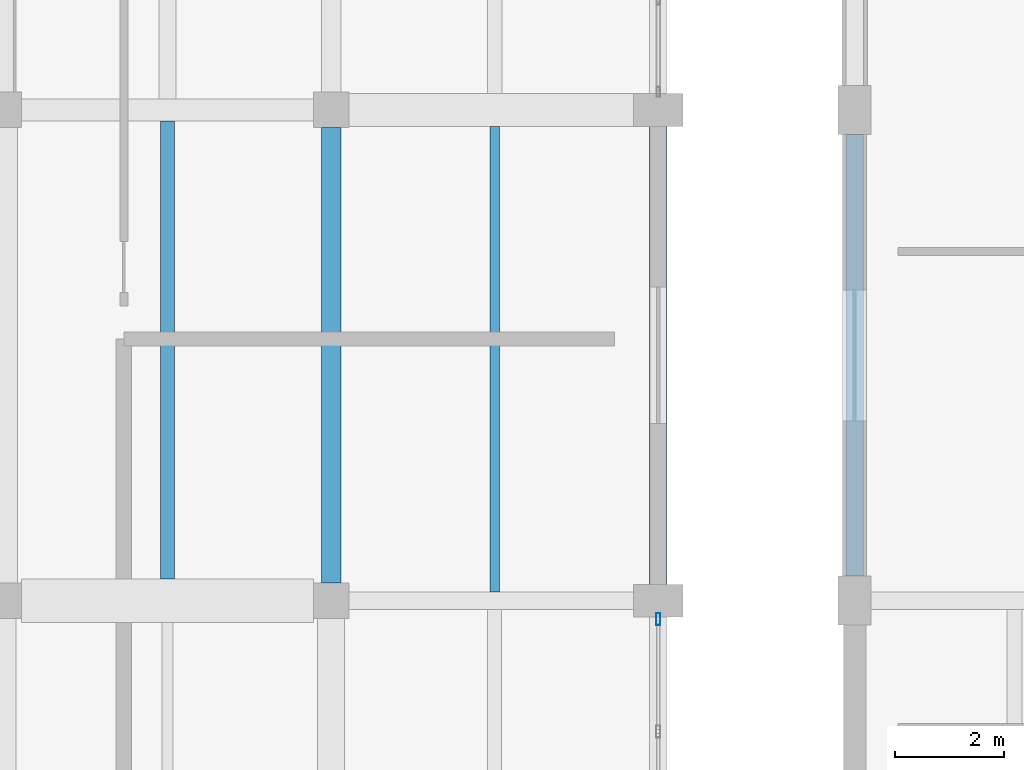
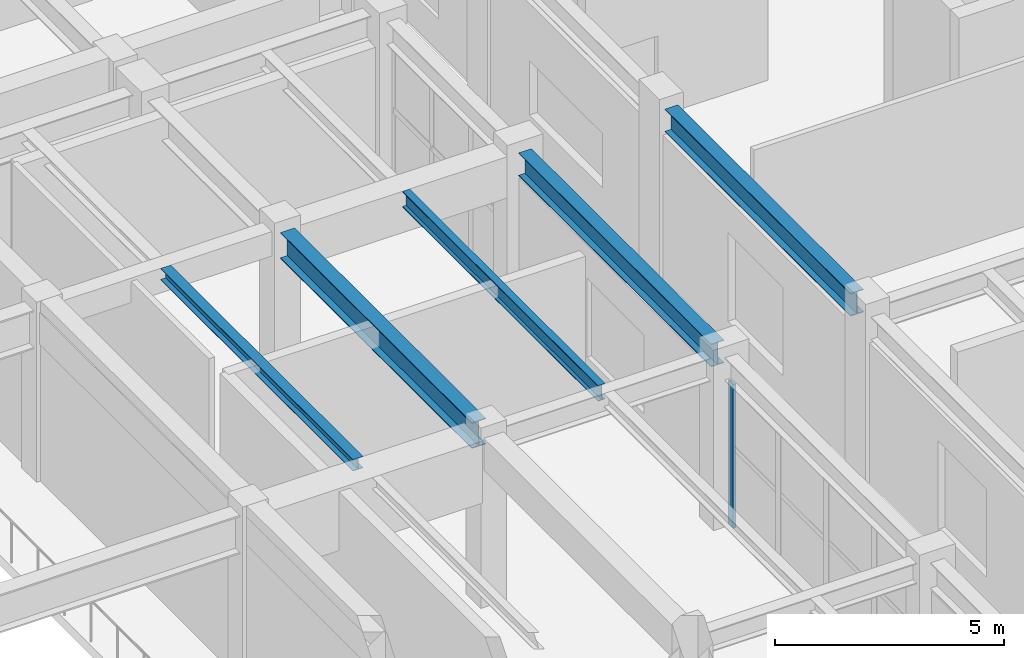
# One storey, part 31 of 80: 5 beams, 1 member, 1 element without a shape of its own.
"""IFC4 building model written with IfcOpenShell, lengths in metres."""

from ifc_helpers import new_model, si_unit, direction, frame, origin, origin_2d, place, context, subcontext, project, spatial, hollow_rectangle, i_section, extrude, material, layer, layer_set, material_profile, profile_set, type_object, element, aggregate, save


model = new_model("IFC4")

# Units and contexts
model_context = context("Model", 3, precision=1e-05, world=origin(), true_north=direction((0.0, 1.0)))
body_context = subcontext(model_context, "Body", "Model", "MODEL_VIEW")
ifc_project = project(units=[si_unit("LENGTHUNIT", "METRE"), si_unit("AREAUNIT", "SQUARE_METRE"), si_unit("VOLUMEUNIT", "CUBIC_METRE"), si_unit("PLANEANGLEUNIT", "RADIAN"), si_unit("MASSUNIT", "GRAM", prefix="KILO")], contexts=[model_context])

# Site, building, storey
site_placement = place(None, origin())
site = spatial("IfcSite", under=ifc_project, at=site_placement, CompositionType="ELEMENT")
building_placement = place(site_placement, origin())
building = spatial("IfcBuilding", under=site, at=building_placement, Name="Vaelkrest Opera House", CompositionType="ELEMENT")
storey_placement = place(building_placement, frame((0.0, 0.0, 15.0)))
storey = spatial("IfcBuildingStorey", under=building, at=storey_placement, Name="L03", CompositionType="ELEMENT", Elevation=15.0)

# Beam
ifc_material_1 = material(Name="Steel A992 Gr50", Category="steel")
ifc_material_profile_1 = material_profile(ifc_material_1, i_section(OverallWidth=0.35498046875, OverallDepth=0.695068359375, WebThickness=0.015380859375, FlangeThickness=0.02490234375, at=origin_2d()), Name="W27X146")
ifc_profile_set_1 = profile_set([ifc_material_profile_1], Name="Steel A992 Gr50")
beam_type_1 = type_object("IfcBeamType", Name="B10", PredefinedType="BEAM", material=ifc_profile_set_1)
beam_1_placement = place(storey_placement, frame((24.0, 1.52490234375, 4.157470703125), z_axis=(0.0, 1.0, 0.0), x_axis=(-1.0, 0.0, 0.0)))
element("IfcBeam", 1, at=beam_1_placement, inside=storey, type_object=beam_type_1, Name="Beam BM-V1-L03-0505", PredefinedType="BEAM", context=body_context, shape_type="SweptSolid", body=[
    extrude(i_section(OverallWidth=0.35498046875, OverallDepth=0.695068359375, WebThickness=0.015380859375, FlangeThickness=0.02490234375, at=origin_2d()), origin(), (0.0, 0.0, 1.0), 8.35009765625),
])

# Curtain wall, member
ifc_material_2 = material(Name="Dark bronze anodized aluminium", Category="aluminium")
ifc_layer = layer(ifc_material_2, 0.239990234375)
ifc_layer_set = layer_set([ifc_layer], Name="Dark bronze anodized aluminium")
curtain_wall_type = type_object("IfcCurtainWallType", Name="CW07", PredefinedType="NOTDEFINED", material=ifc_layer_set)
curtain_wall_placement = place(storey_placement, origin())
curtain_wall = element("IfcCurtainWall", 2, at=curtain_wall_placement, inside=storey, type_object=curtain_wall_type, Name="Curtain wall CW-L03-052", PredefinedType="NOTDEFINED")
ifc_material_profile_2 = material_profile(ifc_material_2, hollow_rectangle(XDim=0.074951171875, YDim=0.219970703125, WallThickness=0.00439453125, at=origin_2d()), Name="CWM75X220")
ifc_profile_set_2 = profile_set([ifc_material_profile_2], Name="Dark bronze anodized aluminium")
member_type = type_object("IfcMemberType", Name="CWM03", PredefinedType="MULLION", material=ifc_profile_set_2)
member_placement = place(storey_placement, frame((30.0, 0.864501953125, 0.0), z_axis=(0.0, 0.0, 1.0), x_axis=(1.0, 0.0, 0.0)))
member = element("IfcMember", 3, at=member_placement, type_object=member_type, Name="CW07 mullion 1", PredefinedType="MULLION", context=body_context, shape_type="SweptSolid", body=[
    extrude(hollow_rectangle(XDim=0.074951171875, YDim=0.219970703125, WallThickness=0.00439453125, at=origin_2d()), origin(), (0.0, 0.0, 1.0), 3.8291015625),
])
aggregate(curtain_wall, [member])

# Beams
ifc_material_profile_3 = material_profile(ifc_material_1, i_section(OverallWidth=0.25390625, OverallDepth=0.305908203125, WebThickness=0.0087890625, FlangeThickness=0.0146484375, at=origin_2d()), Name="W12X53")
ifc_profile_set_3 = profile_set([ifc_material_profile_3], Name="Steel A992 Gr50")
beam_type_2 = type_object("IfcBeamType", Name="J03", PredefinedType="JOIST", material=ifc_profile_set_3)
beam_2_placement = place(storey_placement, frame((21.0, 1.60009765625, 4.35205078125), z_axis=(0.0, 1.0, 0.0), x_axis=(-1.0, 0.0, 0.0)))
element("IfcBeam", 4, at=beam_2_placement, inside=storey, type_object=beam_type_2, Name="Floor joist JST-V1-L03-0523", PredefinedType="JOIST", context=body_context, shape_type="SweptSolid", body=[
    extrude(i_section(OverallWidth=0.25390625, OverallDepth=0.305908203125, WebThickness=0.0087890625, FlangeThickness=0.0146484375, at=origin_2d()), origin(), (0.0, 0.0, 1.0), 8.39990234375),
])
ifc_material_profile_4 = material_profile(ifc_material_1, i_section(OverallWidth=0.180908203125, OverallDepth=0.4169921875, WebThickness=0.010986328125, FlangeThickness=0.018310546875, at=origin_2d()), Name="W16X57")
ifc_profile_set_4 = profile_set([ifc_material_profile_4], Name="Steel A992 Gr50")
beam_type_3 = type_object("IfcBeamType", Name="J07", PredefinedType="JOIST", material=ifc_profile_set_4)
beam_3_placement = place(storey_placement, frame((27.0, 1.362060546875, 4.29638671875), z_axis=(0.0, 1.0, 0.0), x_axis=(-1.0, 0.0, 0.0)))
element("IfcBeam", 5, at=beam_3_placement, inside=storey, type_object=beam_type_3, Name="Floor joist JST-V1-L03-0527", PredefinedType="JOIST", context=body_context, shape_type="SweptSolid", body=[
    extrude(i_section(OverallWidth=0.180908203125, OverallDepth=0.4169921875, WebThickness=0.010986328125, FlangeThickness=0.018310546875, at=origin_2d()), origin(), (0.0, 0.0, 1.0), 8.537841796875),
])
ifc_material_profile_5 = material_profile(ifc_material_1, i_section(OverallWidth=0.323974609375, OverallDepth=0.611083984375, WebThickness=0.0126953125, FlangeThickness=0.01904296875, at=origin_2d()), Name="W24X104")
ifc_profile_set_5 = profile_set([ifc_material_profile_5], Name="Steel A992 Gr50")
beam_type_4 = type_object("IfcBeamType", Name="SP01", PredefinedType="SPANDREL", material=ifc_profile_set_5)
beam_4_placement = place(storey_placement, frame((30.0, 1.5, 4.199462890625), z_axis=(0.0, 1.0, 0.0), x_axis=(-1.0, 0.0, 0.0)))
element("IfcBeam", 6, at=beam_4_placement, inside=storey, type_object=beam_type_4, Name="Beam BM-V1-L03-0513", PredefinedType="SPANDREL", context=body_context, shape_type="SweptSolid", body=[
    extrude(i_section(OverallWidth=0.323974609375, OverallDepth=0.611083984375, WebThickness=0.0126953125, FlangeThickness=0.01904296875, at=origin_2d()), origin(), (0.0, 0.0, 1.0), 8.39990234375),
])
beam_5_placement = place(storey_placement, frame((33.60009765625, 1.64990234375, 4.199462890625), z_axis=(0.0, 1.0, 0.0), x_axis=(-1.0, 0.0, 0.0)))
element("IfcBeam", 7, at=beam_5_placement, inside=storey, type_object=beam_type_4, Name="Beam BM-V4-L03-2363", PredefinedType="SPANDREL", context=body_context, shape_type="SweptSolid", body=[
    extrude(i_section(OverallWidth=0.323974609375, OverallDepth=0.611083984375, WebThickness=0.0126953125, FlangeThickness=0.01904296875, at=origin_2d()), origin(), (0.0, 0.0, 1.0), 8.10009765625),
])

save(model, "model.ifc")
